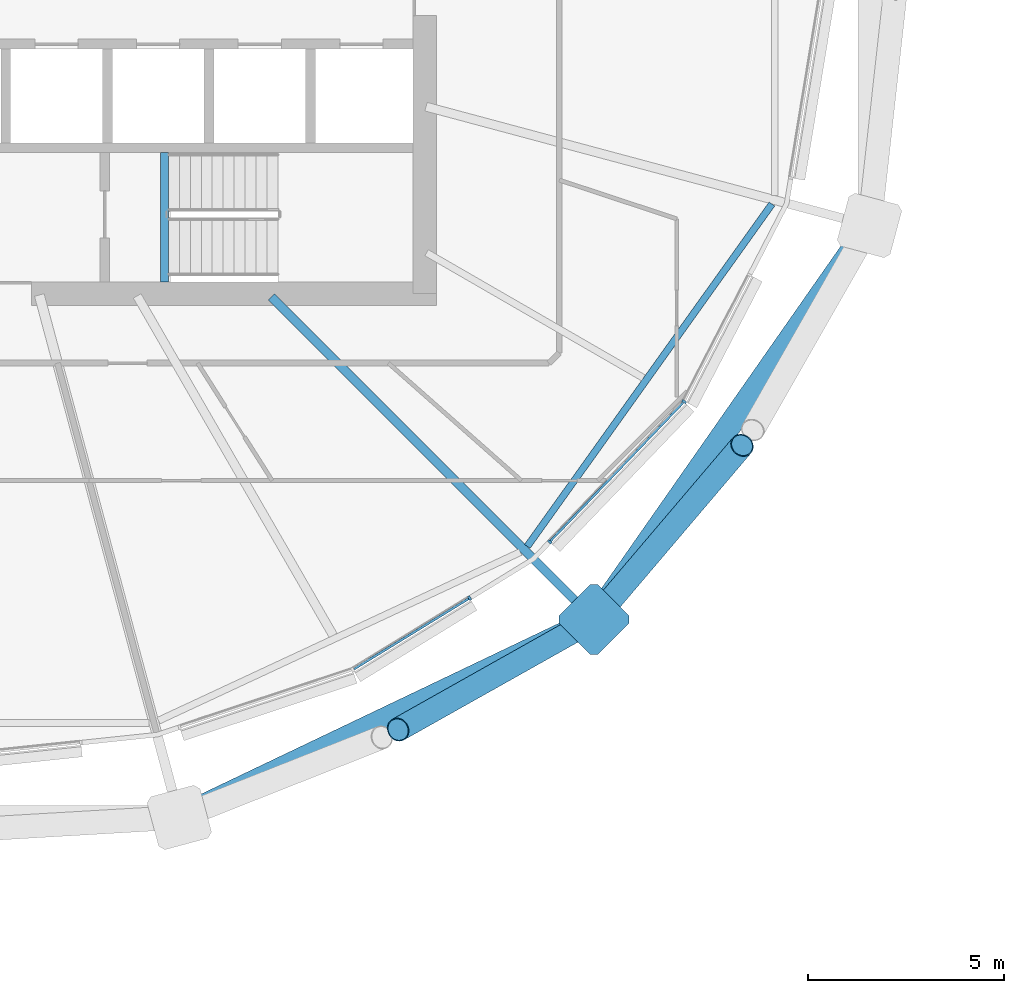
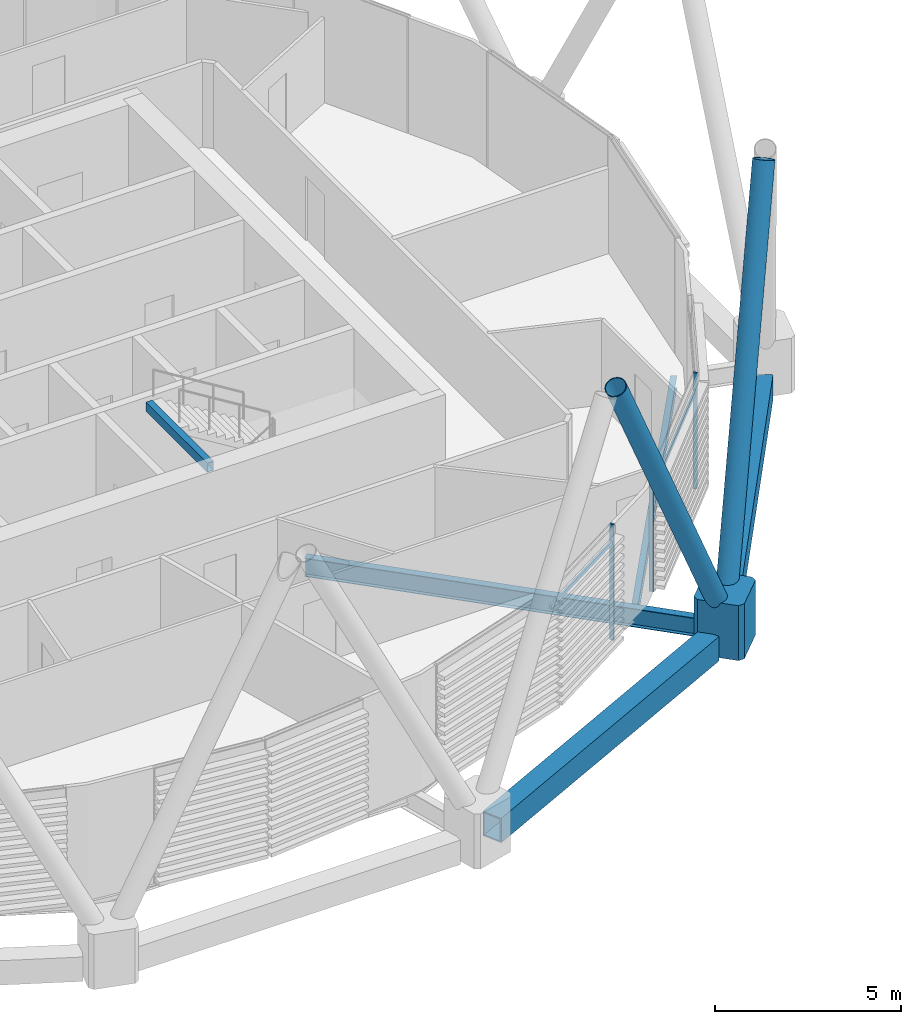
# One storey, part 6 of 37: 8 members, 5 beams, 1 element without a shape of its own.
"""IFC4 building model written with IfcOpenShell, lengths in metres."""

from ifc_helpers import new_model, si_unit, direction, frame, origin, origin_2d, place, context, subcontext, project, spatial, polyline, rectangle, hollow_rectangle, hollow_circle, i_section, outline, extrude, material, material_profile, profile_set, type_object, element, aggregate, save


model = new_model("IFC4")

# Units and contexts
model_context = context("Model", 3, precision=1e-05, world=origin(), true_north=direction((0.0, 1.0)))
body_context = subcontext(model_context, "Body", "Model", "MODEL_VIEW")
ifc_project = project(units=[si_unit("LENGTHUNIT", "METRE"), si_unit("AREAUNIT", "SQUARE_METRE"), si_unit("VOLUMEUNIT", "CUBIC_METRE"), si_unit("PLANEANGLEUNIT", "RADIAN"), si_unit("MASSUNIT", "GRAM", prefix="KILO")], contexts=[model_context])

# Site, building, storey
site_placement = place(None, origin())
site = spatial("IfcSite", under=ifc_project, at=site_placement, CompositionType="ELEMENT")
building_placement = place(site_placement, origin())
building = spatial("IfcBuilding", under=site, at=building_placement, Name="Rimbun Link Towers", CompositionType="ELEMENT")
storey_placement = place(building_placement, frame((0.0, 0.0, 170.300048828125)))
storey = spatial("IfcBuildingStorey", under=building, at=storey_placement, Name="L41", CompositionType="ELEMENT", Elevation=170.300048828125)

# Curtain wall, members
ifc_material_1 = material(Name="Aluminium 6063-T6 and low-iron glass", Category="aluminium")
curtain_wall_type = type_object("IfcCurtainWallType", Name="CW1-Z3 unitised vision wall (zone 3)", PredefinedType="NOTDEFINED", material=ifc_material_1)
curtain_wall_placement = place(storey_placement, origin())
curtain_wall = element("IfcCurtainWall", 1, at=curtain_wall_placement, inside=storey, type_object=curtain_wall_type, Name="CW1 L41 T1", PredefinedType="NOTDEFINED")
ifc_material_2 = material(Name="Aluminium 6063-T6", Category="aluminium")
ifc_material_profile_1 = material_profile(ifc_material_2, rectangle(XDim=0.1201171875, YDim=0.06005859375, at=origin_2d()), Name="MULLION 60X120")
ifc_profile_set_1 = profile_set([ifc_material_profile_1], Name="Aluminium 6063-T6")
member_type_1 = type_object("IfcMemberType", Name="CW1 mullion 60X120", PredefinedType="MULLION", material=ifc_profile_set_1)
member_1_placement = place(storey_placement, frame((-18.6064453125, -15.776611328125, 0.0), z_axis=(0.0, 0.0, 1.0), x_axis=(0.523231382934, -0.852190659368, 0.0)))
member_1 = element("IfcMember", 2, at=member_1_placement, type_object=member_type_1, Name="CW1 mullion", PredefinedType="MULLION", context=body_context, shape_type="SweptSolid", body=[
    extrude(rectangle(XDim=0.1201171875, YDim=0.06005859375, at=origin_2d()), origin(), (0.0, 0.0, 1.0), 3.800048828125),
])
member_2_placement = place(storey_placement, frame((-13.127685546875, -10.75830078125, 0.0), z_axis=(0.0, 0.0, 1.0), x_axis=(0.813350034024, -0.581774631754, 0.0)))
member_2 = element("IfcMember", 3, at=member_2_placement, type_object=member_type_1, Name="CW1 mullion", PredefinedType="MULLION", context=body_context, shape_type="SweptSolid", body=[
    extrude(rectangle(XDim=0.1201171875, YDim=0.06005859375, at=origin_2d()), origin(), (0.0, 0.0, 1.0), 3.800048828125),
])
member_3_placement = place(storey_placement, frame((-16.56005859375, -14.339599609375, 0.0), z_axis=(0.0, 0.0, 1.0), x_axis=(0.721853979368, -0.692045397695, 0.0)))
member_3 = element("IfcMember", 4, at=member_3_placement, type_object=member_type_1, Name="CW1 mullion", PredefinedType="MULLION", context=body_context, shape_type="SweptSolid", body=[
    extrude(rectangle(XDim=0.1201171875, YDim=0.06005859375, at=origin_2d()), origin(), (0.0, 0.0, 1.0), 3.800048828125),
])
ifc_material_3 = material(Name="Aluminium 6063-T6", Category="aluminium")
ifc_material_profile_2 = material_profile(ifc_material_3, rectangle(XDim=0.06005859375, YDim=0.1201171875, at=origin_2d()), Name="TRANSOM 60X120")
ifc_profile_set_2 = profile_set([ifc_material_profile_2], Name="Aluminium 6063-T6")
member_type_2 = type_object("IfcMemberType", Name="CW1 transom 60X120", PredefinedType="USERDEFINED", material=ifc_profile_set_2)
member_4_placement = place(storey_placement, frame((-18.633056640625, -15.79052734375, 3.199951171875), z_axis=(-0.852185129283, -0.523240389716, 0.0), x_axis=(0.523240389716, -0.852185129283, 0.0)))
member_4 = element("IfcMember", 5, at=member_4_placement, type_object=member_type_2, Name="CW1 transom", ObjectType="TRANSOM", PredefinedType="USERDEFINED", context=body_context, shape_type="SweptSolid", body=[
    extrude(rectangle(XDim=0.06005859375, YDim=0.1201171875, at=origin_2d()), origin(), (0.0, 0.0, 1.0), 3.43408203125),
])
member_5_placement = place(storey_placement, frame((-13.1552734375, -10.785400390625, 3.199951171875), z_axis=(-0.692052764793, -0.721846916418, 0.0), x_axis=(0.721846916418, -0.692052764793, 0.0)))
member_5 = element("IfcMember", 6, at=member_5_placement, type_object=member_type_2, Name="CW1 transom", ObjectType="TRANSOM", PredefinedType="USERDEFINED", context=body_context, shape_type="SweptSolid", body=[
    extrude(rectangle(XDim=0.06005859375, YDim=0.1201171875, at=origin_2d()), origin(), (0.0, 0.0, 1.0), 4.891845703125),
])
aggregate(curtain_wall, [member_1, member_2, member_3, member_4, member_5])

# Members
ifc_material_4 = material(Name="Steel S355J2H", Category="steel")
ifc_material_profile_3 = material_profile(ifc_material_4, hollow_circle(Radius=0.3046875, WallThickness=0.02490234375, at=origin_2d()), Name="Diagrid diagonal CHS 610x25")
ifc_profile_set_3 = profile_set([ifc_material_profile_3], Name="Steel S355J2H")
member_type_3 = type_object("IfcMemberType", Name="Diagrid diagonal CHS 610x25", PredefinedType="BRACE", material=ifc_profile_set_3)
member_6_placement = place(storey_placement, frame((-15.630126953125, -16.435791015625, 0.44287109375), z_axis=(-0.404647513126, -0.227507536986, 0.885720447283), x_axis=(0.490086644612, -0.871673723806, 0.0)))
element("IfcMember", 7, at=member_6_placement, inside=storey, type_object=member_type_3, Name="Diagrid diagonal T1 L41-L44 21a", PredefinedType="BRACE", context=body_context, shape_type="SweptSolid", body=[
    extrude(hollow_circle(Radius=0.3046875, WallThickness=0.02490234375, at=origin_2d()), origin(), (0.0, 0.0, 1.0), 11.870849609375),
])
member_7_placement = place(storey_placement, frame((-15.275390625, -16.14306640625, 0.441162109375), z_axis=(0.304496138641, 0.358253648416, 0.882573750431), x_axis=(-0.761959744165, 0.647624388262, 0.0)))
element("IfcMember", 8, at=member_7_placement, inside=storey, type_object=member_type_3, Name="Diagrid diagonal T1 L41-L44 21b", PredefinedType="BRACE", context=body_context, shape_type="SweptSolid", body=[
    extrude(hollow_circle(Radius=0.3046875, WallThickness=0.02490234375, at=origin_2d()), origin(), (0.0, 0.0, 1.0), 11.9169921875),
])
ifc_material_5 = material(Name="Cast steel G20Mn5+QT, Rp0.2 300 MPa", Category="steel")
ifc_material_profile_4 = material_profile(ifc_material_5, outline(polyline([(0.699951171875, -0.570068359375), (0.699951171875, 0.570068359375), (0.570068359375, 0.699951171875), (-0.570068359375, 0.699951171875), (-0.699951171875, 0.570068359375), (-0.699951171875, -0.570068359375), (-0.570068359375, -0.699951171875), (0.570068359375, -0.699951171875), (0.699951171875, -0.570068359375)])), Name="NODE 1400x1400")
ifc_profile_set_4 = profile_set([ifc_material_profile_4], Name="Cast steel G20Mn5+QT, Rp0.2 300 MPa")
member_type_4 = type_object("IfcMemberType", Name="Diagrid node cast 1400", PredefinedType="USERDEFINED", material=ifc_profile_set_4)
member_8_placement = place(storey_placement, frame((-15.427734375, -16.322265625, -0.900146484375), z_axis=(0.0, 0.0, 1.0), x_axis=(0.707106781187, -0.707106781187, 0.0)))
element("IfcMember", 9, at=member_8_placement, inside=storey, type_object=member_type_4, Name="Diagrid node L41 21", ObjectType="Diagrid node", PredefinedType="USERDEFINED", context=body_context, shape_type="SweptSolid", body=[
    extrude(outline(polyline([(0.699951171875, -0.570068359375), (0.699951171875, 0.570068359375), (0.570068359375, 0.699951171875), (-0.570068359375, 0.699951171875), (-0.699951171875, 0.570068359375), (-0.699951171875, -0.570068359375), (-0.570068359375, -0.699951171875), (0.570068359375, -0.699951171875), (0.699951171875, -0.570068359375)])), origin(), (0.0, 0.0, 1.0), 1.800048828125),
])

# Beams
ifc_material_6 = material(Name="Steel S355J2", Category="steel")
ifc_material_profile_5 = material_profile(ifc_material_6, hollow_rectangle(XDim=0.60009765625, YDim=0.800048828125, WallThickness=0.0400390625, at=origin_2d()), Name="Exoskeleton ring girder BOX 600x800x40")
ifc_profile_set_5 = profile_set([ifc_material_profile_5], Name="Steel S355J2")
beam_type_1 = type_object("IfcBeamType", Name="Exoskeleton ring girder BOX 600x800x40", PredefinedType="BEAM", material=ifc_profile_set_5)
beam_1_placement = place(storey_placement, frame((-25.3896484375, -21.078369140625, -0.56005859375), z_axis=(0.902420946705, 0.430855468746, 0.0), x_axis=(-0.430855468746, 0.902420946705, 0.0)))
element("IfcBeam", 10, at=beam_1_placement, inside=storey, type_object=beam_type_1, Name="Exoskeleton ring girder L41 06", PredefinedType="BEAM", context=body_context, shape_type="SweptSolid", body=[
    extrude(hollow_rectangle(XDim=0.60009765625, YDim=0.800048828125, WallThickness=0.0400390625, at=origin_2d()), origin(), (0.0, 0.0, 1.0), 10.3388671875),
])
beam_2_placement = place(storey_placement, frame((-15.026611328125, -15.74853515625, -0.56005859375), z_axis=(0.573010423407, 0.819548079534, 0.0), x_axis=(-0.819548079534, 0.573010423407, 0.0)))
element("IfcBeam", 11, at=beam_2_placement, inside=storey, type_object=beam_type_1, Name="Exoskeleton ring girder L41 07", PredefinedType="BEAM", context=body_context, shape_type="SweptSolid", body=[
    extrude(hollow_rectangle(XDim=0.60009765625, YDim=0.800048828125, WallThickness=0.0400390625, at=origin_2d()), origin(), (0.0, 0.0, 1.0), 10.879150390625),
])
ifc_material_7 = material(Name="Steel S355J2", Category="steel")
ifc_material_profile_6 = material_profile(ifc_material_7, hollow_rectangle(XDim=0.199951171875, YDim=0.300048828125, WallThickness=0.011962890625, at=origin_2d()), Name="BOX 300x200x12")
ifc_profile_set_6 = profile_set([ifc_material_profile_6], Name="Steel S355J2")
beam_type_2 = type_object("IfcBeamType", Name="Stair trimmer beam BOX 300x200x12", PredefinedType="BEAM", material=ifc_profile_set_6)
beam_3_placement = place(storey_placement, frame((-26.39990234375, -7.699951171875, 3.5), z_axis=(0.0, 1.0, 0.0), x_axis=(-1.0, 0.0, 0.0)))
element("IfcBeam", 12, at=beam_3_placement, inside=storey, type_object=beam_type_2, Name="L41 ST2 stair beam 1", PredefinedType="BEAM", context=body_context, shape_type="SweptSolid", body=[
    extrude(hollow_rectangle(XDim=0.199951171875, YDim=0.300048828125, WallThickness=0.011962890625, at=origin_2d()), origin(), (0.0, 0.0, 1.0), 3.300048828125),
])
ifc_material_8 = material(Name="Steel S355J2", Category="steel")
ifc_material_profile_7 = material_profile(ifc_material_8, i_section(OverallWidth=0.177978515625, OverallDepth=0.406494140625, WebThickness=0.0078125, FlangeThickness=0.0126953125, at=origin_2d()), Name="UB 406x178x60")
ifc_profile_set_7 = profile_set([ifc_material_profile_7], Name="Steel S355J2")
beam_type_3 = type_object("IfcBeamType", Name="UB 406x178x60", PredefinedType="BEAM", material=ifc_profile_set_7)
beam_4_placement = place(storey_placement, frame((-17.1328125, -14.454833984375, -0.353271484375), z_axis=(0.581433701753, 0.813593787136, 0.0), x_axis=(-0.813593787136, 0.581433701753, 0.0)))
element("IfcBeam", 13, at=beam_4_placement, inside=storey, type_object=beam_type_3, Name="Edge beam T1 L41 21-23", PredefinedType="BEAM", context=body_context, shape_type="SweptSolid", body=[
    extrude(i_section(OverallWidth=0.177978515625, OverallDepth=0.406494140625, WebThickness=0.0078125, FlangeThickness=0.0126953125, at=origin_2d()), origin(), (0.0, 0.0, 1.0), 10.74853515625),
])
ifc_material_9 = material(Name="Steel S355J2", Category="steel")
ifc_material_profile_8 = material_profile(ifc_material_9, i_section(OverallWidth=0.2275390625, OverallDepth=0.6025390625, WebThickness=0.010498046875, FlangeThickness=0.014892578125, at=origin_2d()), Name="UB 610x229x101")
ifc_profile_set_8 = profile_set([ifc_material_profile_8], Name="Steel S355J2")
beam_type_4 = type_object("IfcBeamType", Name="UB 610x229x101", PredefinedType="BEAM", material=ifc_profile_set_8)
beam_5_placement = place(storey_placement, frame((-23.668701171875, -8.081298828125, -0.451416015625), z_axis=(0.707106781187, -0.707106781187, 0.0), x_axis=(0.707106781187, 0.707106781187, 0.0)))
element("IfcBeam", 14, at=beam_5_placement, inside=storey, type_object=beam_type_4, Name="Radial beam T1 L41 21", PredefinedType="BEAM", context=body_context, shape_type="SweptSolid", body=[
    extrude(i_section(OverallWidth=0.2275390625, OverallDepth=0.6025390625, WebThickness=0.010498046875, FlangeThickness=0.014892578125, at=origin_2d()), origin(), (0.0, 0.0, 1.0), 11.154296875),
])

save(model, "model.ifc")
